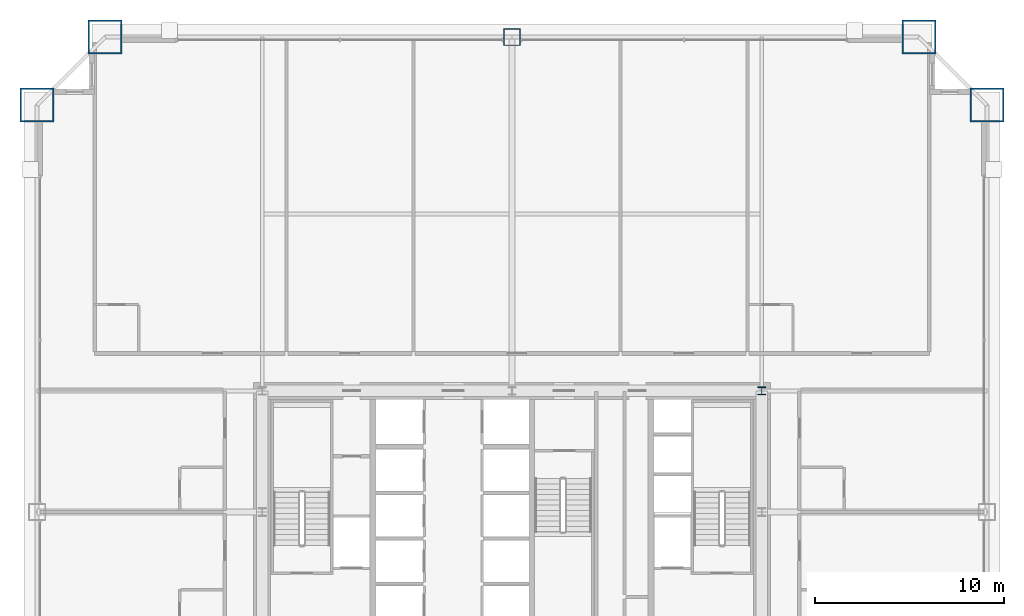
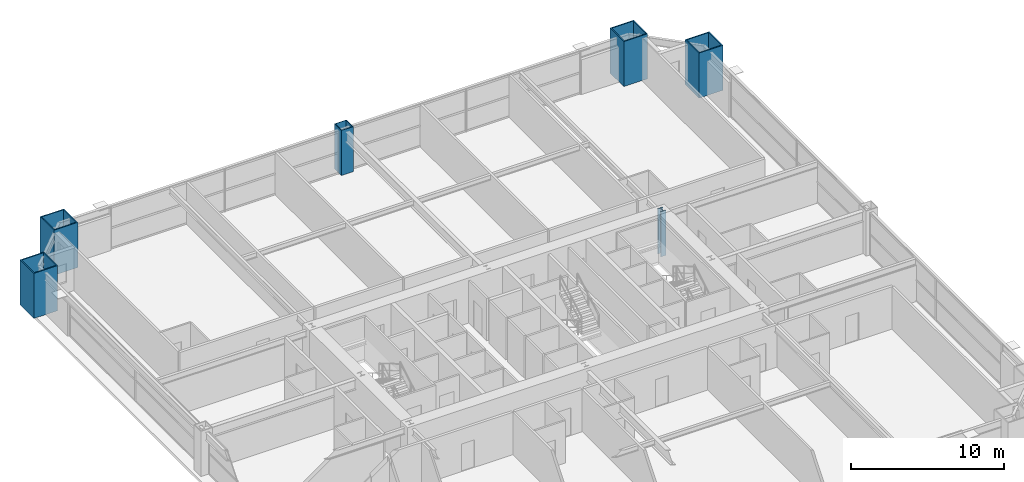
# One storey, part 2 of 43: 6 columns.
"""IFC4 building model written with IfcOpenShell, lengths in metres."""

from ifc_helpers import new_model, si_unit, direction, frame, origin, origin_2d, place, context, subcontext, project, spatial, hollow_rectangle, i_section, extrude, source, transform, mapped, material, material_profile, profile_set, type_object, element, save


model = new_model("IFC4")

# Units and contexts
model_context = context("Model", 3, precision=1e-05, world=origin(), true_north=direction((0.0, 1.0)))
body_context = subcontext(model_context, "Body", "Model", "MODEL_VIEW")
ifc_project = project(units=[si_unit("LENGTHUNIT", "METRE"), si_unit("AREAUNIT", "SQUARE_METRE"), si_unit("VOLUMEUNIT", "CUBIC_METRE"), si_unit("PLANEANGLEUNIT", "RADIAN"), si_unit("MASSUNIT", "GRAM", prefix="KILO"), si_unit("THERMODYNAMICTEMPERATUREUNIT", "KELVIN"), si_unit("POWERUNIT", "WATT")], contexts=[model_context])

# Site, building, storey
site_placement = place(None, origin())
site = spatial("IfcSite", under=ifc_project, at=site_placement, CompositionType="ELEMENT")
building_placement = place(site_placement, origin())
building = spatial("IfcBuilding", under=site, at=building_placement, Name="Yuzanri Waterfront Tower", CompositionType="ELEMENT")
storey_placement = place(building_placement, frame((0.0, 0.0, 64.0)))
storey = spatial("IfcBuildingStorey", under=building, at=storey_placement, Name="L16", CompositionType="ELEMENT", Elevation=64.0)

# Columns
ifc_material_1 = material(Name="Steel Q355B", Category="steel")
ifc_material_profile_1 = material_profile(ifc_material_1, i_section(OverallWidth=0.406982421875, OverallDepth=0.427978515625, WebThickness=0.02001953125, FlangeThickness=0.034912109375, at=origin_2d()), Name="HW 428x407x20x35")
ifc_profile_set_1 = profile_set([ifc_material_profile_1], Name="Steel Q355B")
column_type_1 = type_object("IfcColumnType", Name="Core Post Q355B HW 428x407x20x35", PredefinedType="COLUMN", material=ifc_profile_set_1)
shared_shape_1 = source(origin(), body_context, "Body", "SweptSolid", [
    extrude(i_section(OverallWidth=0.406982421875, OverallDepth=0.427978515625, WebThickness=0.02001953125, FlangeThickness=0.034912109375, at=origin_2d()), origin(), (0.0, 0.0, 1.0), 3.60009765625),
])
column_1_placement = place(storey_placement, frame((50.199951171875, 32.199951171875, 0.0), z_axis=(0.0, 0.0, 1.0), x_axis=(1.0, 0.0, 0.0)))
element("IfcColumn", 1, at=column_1_placement, inside=storey, type_object=column_type_1, Name="L16 Core Boundary Column CP8", PredefinedType="COLUMN", context=body_context, shape_type="MappedRepresentation", body=[
    mapped(shared_shape_1, transform((0.0, 0.0, 0.0), scale=1.0)),
])
ifc_material_2 = material(Name="Steel Q420GJC", Category="steel")
ifc_material_profile_2 = material_profile(ifc_material_2, hollow_rectangle(XDim=1.800048828125, YDim=1.800048828125, WallThickness=0.080078125, at=origin_2d()), Name="RHS 1800x1800x80")
ifc_profile_set_2 = profile_set([ifc_material_profile_2], Name="Steel Q420GJC")
column_type_2 = type_object("IfcColumnType", Name="Mega Column Q420GJC RHS 1800x1800x80", PredefinedType="COLUMN", material=ifc_profile_set_2)
shared_shape_2 = source(origin(), body_context, "Body", "SweptSolid", [
    extrude(hollow_rectangle(XDim=1.800048828125, YDim=1.800048828125, WallThickness=0.080078125, at=origin_2d()), origin(), (0.0, 0.0, 1.0), 3.60009765625),
])
for number, where, z_axis, x_axis, name in (
    (2, (15.5, 50.89990234375, 0.0), (0.0, 0.0, 1.0), (1.0, 0.0, 0.0), "L16 Perimeter Mega Column N1"),
    (3, (58.5, 50.89990234375, 0.0), (0.0, 0.0, 1.0), (1.0, 0.0, 0.0), "L16 Perimeter Mega Column N3"),
    (4, (11.89990234375, 47.300048828125, 0.0), (0.0, 0.0, 1.0), (1.0, 0.0, 0.0), "L16 Perimeter Mega Column W3"),
    (5, (62.10009765625, 47.300048828125, 0.0), (0.0, 0.0, 1.0), (1.0, 0.0, 0.0), "L16 Perimeter Mega Column E3"),
):
    element("IfcColumn", number, at=place(storey_placement, frame(where, z_axis=z_axis, x_axis=x_axis)), inside=storey, type_object=column_type_2, Name=name, PredefinedType="COLUMN", context=body_context, shape_type="MappedRepresentation", body=[
        mapped(shared_shape_2, transform((0.0, 0.0, 0.0), scale=1.0)),
    ])
ifc_material_3 = material(Name="Steel Q390GJC", Category="steel")
ifc_material_profile_3 = material_profile(ifc_material_3, hollow_rectangle(XDim=0.89990234375, YDim=0.89990234375, WallThickness=0.0419921875, at=origin_2d()), Name="RHS 900x900x42")
ifc_profile_set_3 = profile_set([ifc_material_profile_3], Name="Steel Q390GJC")
column_type_3 = type_object("IfcColumnType", Name="Frame Column Q390GJC RHS 900x900x42", PredefinedType="COLUMN", material=ifc_profile_set_3)
shared_shape_3 = source(origin(), body_context, "Body", "SweptSolid", [
    extrude(hollow_rectangle(XDim=0.89990234375, YDim=0.89990234375, WallThickness=0.0419921875, at=origin_2d()), origin(), (0.0, 0.0, 1.0), 3.60009765625),
])
column_2_placement = place(storey_placement, frame((37.0, 50.89990234375, 0.0), z_axis=(0.0, 0.0, 1.0), x_axis=(1.0, 0.0, 0.0)))
element("IfcColumn", 6, at=column_2_placement, inside=storey, type_object=column_type_3, Name="L16 Perimeter Frame Column N2", PredefinedType="COLUMN", context=body_context, shape_type="MappedRepresentation", body=[
    mapped(shared_shape_3, transform((0.0, 0.0, 0.0), scale=1.0)),
])

save(model, "model.ifc")
